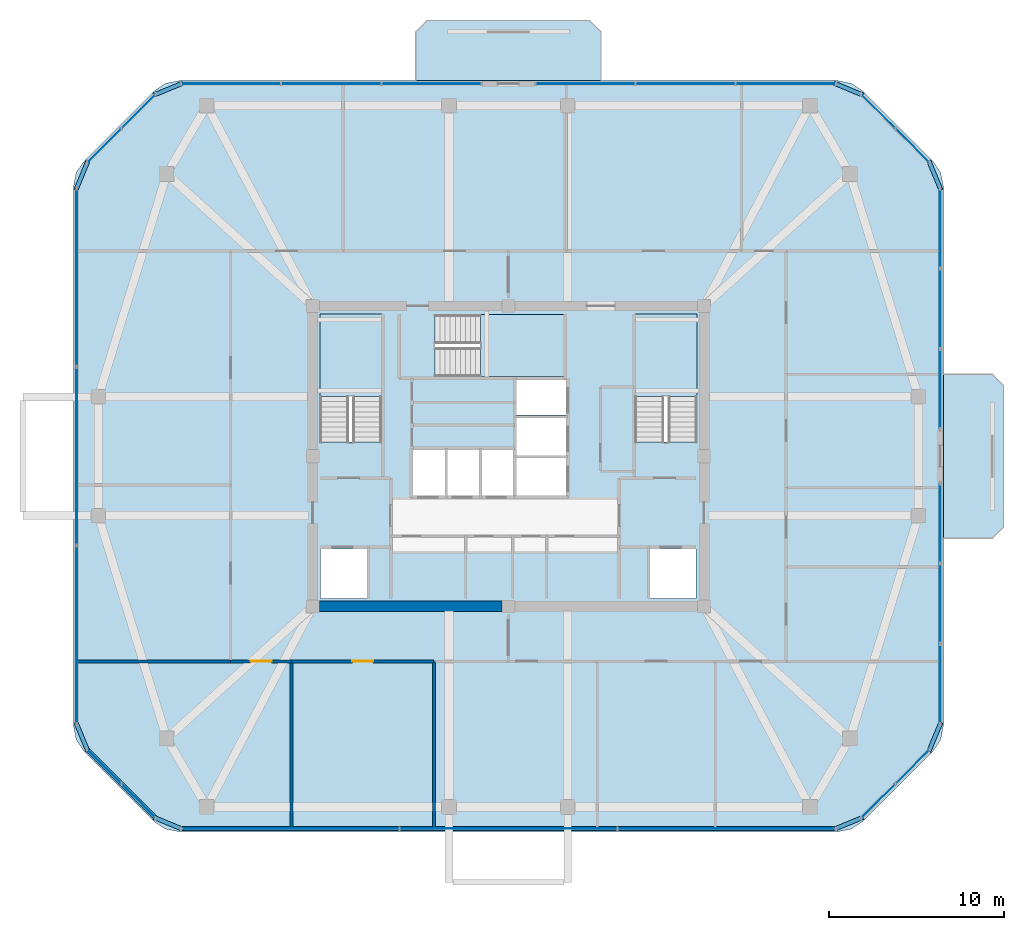
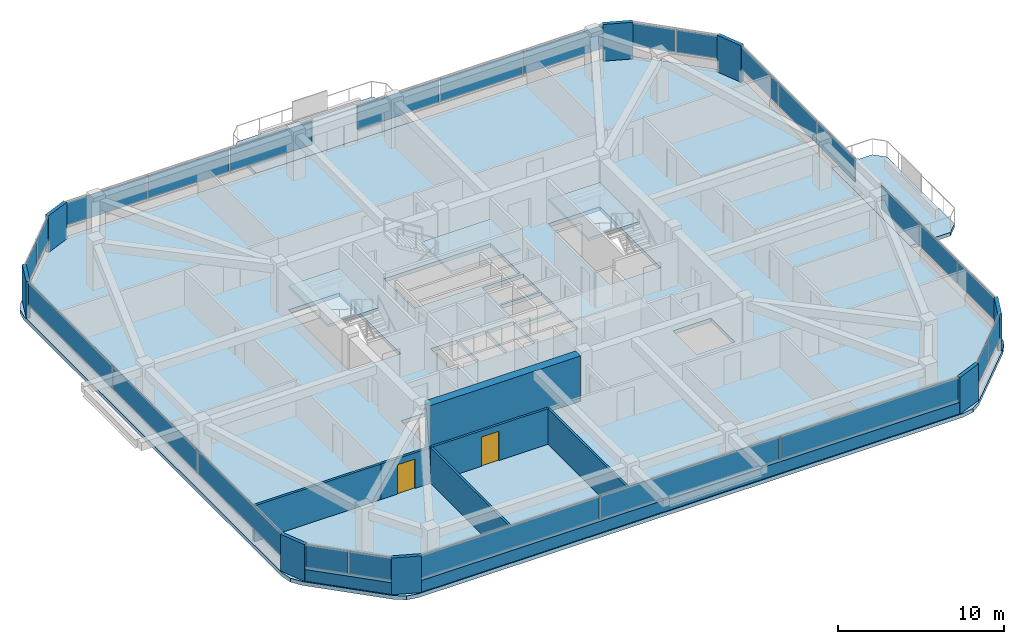
# One storey, part 8 of 14: 34 plates, 8 walls, 6 slabs, 2 doors, 2 openings, 13 elements without a shape of their own.
"""IFC4 building model written with IfcOpenShell, lengths in metres."""

from ifc_helpers import new_model, si_unit, derived_unit, direction, frame, frame_2d, origin, origin_2d, place, context, subcontext, project, spatial, polyline, rectangle, outline, extrude, material, layer, layer_set, type_object, element, fill, aggregate, save


model = new_model("IFC4")

# Units and contexts
model_context = context("Model", 3, precision=1e-05, world=origin(), true_north=direction((0.0, 1.0)))
body_context = subcontext(model_context, "Body", "Model", "MODEL_VIEW")
ifc_project = project(units=[si_unit("LENGTHUNIT", "METRE"), si_unit("AREAUNIT", "SQUARE_METRE"), si_unit("VOLUMEUNIT", "CUBIC_METRE"), si_unit("PLANEANGLEUNIT", "RADIAN"), si_unit("MASSUNIT", "GRAM", prefix="KILO"), derived_unit("THERMALTRANSMITTANCEUNIT", [(si_unit("POWERUNIT", "WATT"), 1), (si_unit("LENGTHUNIT", "METRE"), -2), (si_unit("THERMODYNAMICTEMPERATUREUNIT", "KELVIN"), -1)])], contexts=[model_context])

# Site, building, storey
site_placement = place(None, origin())
site = spatial("IfcSite", under=ifc_project, at=site_placement, CompositionType="ELEMENT")
building_placement = place(site_placement, origin())
building = spatial("IfcBuilding", under=site, at=building_placement, Name="Koralith Skygarden Medical Center", CompositionType="ELEMENT")
storey_placement = place(building_placement, frame((0.0, 0.0, 275.219970703125)))
storey = spatial("IfcBuildingStorey", under=building, at=storey_placement, Name="L71", CompositionType="ELEMENT", Elevation=275.219970703125)

# Curtain wall, plates
ifc_material_1 = material(Name="Clear Laminated Glass", Category="glass")
curtain_wall_type = type_object("IfcCurtainWallType", Name="CW-6 Zone 5 Upper Clinical Curtain Wall", PredefinedType="NOTDEFINED", material=ifc_material_1)
curtain_wall_1_placement = place(storey_placement, origin())
curtain_wall_1 = element("IfcCurtainWall", 1, at=curtain_wall_1_placement, inside=storey, type_object=curtain_wall_type, Name="Curtain Wall CW-L71-S", PredefinedType="NOTDEFINED")
ifc_layer_1 = layer(ifc_material_1, 0.0400390625)
ifc_layer_set_1 = layer_set([ifc_layer_1], Name="Clear Laminated Glass")
plate_type_1 = type_object("IfcPlateType", Name="CW-6 Hurricane Laminated IGU Panel 40", PredefinedType="CURTAIN_PANEL", material=ifc_layer_set_1)
plate_1_placement = place(storey_placement, frame((24.5029296875, 4.580078125, 0.919921875), z_axis=(0.0, 0.0, 1.0), x_axis=(1.0, 0.0, 0.0)))
plate_1 = element("IfcPlate", 2, at=plate_1_placement, type_object=plate_type_1, Name="CW-L71-S Glazed Panel 1", PredefinedType="CURTAIN_PANEL", context=body_context, shape_type="SweptSolid", body=[
    extrude(rectangle(XDim=12.406982421875, YDim=0.0400390625, at=origin_2d()), origin(), (0.0, 0.0, 1.0), 1.699951171875),
])
plate_2_placement = place(storey_placement, frame((37.0, 4.580078125, 0.919921875), z_axis=(0.0, 0.0, 1.0), x_axis=(1.0, 0.0, 0.0)))
plate_2 = element("IfcPlate", 3, at=plate_2_placement, type_object=plate_type_1, Name="CW-L71-S Glazed Panel 2", PredefinedType="CURTAIN_PANEL", context=body_context, shape_type="SweptSolid", body=[
    extrude(rectangle(XDim=12.406982421875, YDim=0.0400390625, at=origin_2d()), origin(), (0.0, 0.0, 1.0), 1.699951171875),
])
plate_3_placement = place(storey_placement, frame((49.4970703125, 4.580078125, 0.919921875), z_axis=(0.0, 0.0, 1.0), x_axis=(1.0, 0.0, 0.0)))
plate_3 = element("IfcPlate", 4, at=plate_3_placement, type_object=plate_type_1, Name="CW-L71-S Glazed Panel 3", PredefinedType="CURTAIN_PANEL", context=body_context, shape_type="SweptSolid", body=[
    extrude(rectangle(XDim=12.406982421875, YDim=0.0400390625, at=origin_2d()), origin(), (0.0, 0.0, 1.0), 1.699951171875),
])
aggregate(curtain_wall_1, [plate_1, plate_2, plate_3])

curtain_wall_2_placement = place(storey_placement, origin())
curtain_wall_2 = element("IfcCurtainWall", 5, at=curtain_wall_2_placement, inside=storey, type_object=curtain_wall_type, Name="Curtain Wall CW-L71-SE", PredefinedType="NOTDEFINED")
plate_4_placement = place(storey_placement, frame((58.177001953125, 6.162109375, 0.919921875), z_axis=(0.0, 0.0, 1.0), x_axis=(0.707106781187, 0.707106781187, 0.0)))
plate_4 = element("IfcPlate", 6, at=plate_4_placement, type_object=plate_type_1, Name="CW-L71-SE Glazed Panel 1", PredefinedType="CURTAIN_PANEL", context=body_context, shape_type="SweptSolid", body=[
    extrude(rectangle(XDim=2.68408203125, YDim=0.0400390625, at=origin_2d()), origin(), (0.0, 0.0, 1.0), 1.699951171875),
])
plate_5_placement = place(storey_placement, frame((60.137939453125, 8.123046875, 0.919921875), z_axis=(0.0, 0.0, 1.0), x_axis=(0.707106781187, 0.707106781187, 0.0)))
plate_5 = element("IfcPlate", 7, at=plate_5_placement, type_object=plate_type_1, Name="CW-L71-SE Glazed Panel 2", PredefinedType="CURTAIN_PANEL", context=body_context, shape_type="SweptSolid", body=[
    extrude(rectangle(XDim=2.68408203125, YDim=0.0400390625, at=origin_2d()), origin(), (0.0, 0.0, 1.0), 1.699951171875),
])
aggregate(curtain_wall_2, [plate_4, plate_5])

curtain_wall_3_placement = place(storey_placement, origin())
curtain_wall_3 = element("IfcCurtainWall", 8, at=curtain_wall_3_placement, inside=storey, type_object=curtain_wall_type, Name="Curtain Wall CW-L71-E-L", PredefinedType="NOTDEFINED")
plate_6_placement = place(storey_placement, frame((61.719970703125, 12.85595703125, 0.919921875), z_axis=(0.0, 0.0, 1.0), x_axis=(0.0, 1.0, 0.0)))
plate_6 = element("IfcPlate", 9, at=plate_6_placement, type_object=plate_type_1, Name="CW-L71-E-L Glazed Panel 1", PredefinedType="CURTAIN_PANEL", context=body_context, shape_type="SweptSolid", body=[
    extrude(rectangle(XDim=4.511962890625, YDim=0.0400390625, at=origin_2d()), origin(), (0.0, 0.0, 1.0), 1.699951171875),
])
plate_7_placement = place(storey_placement, frame((61.719970703125, 17.45703125, 0.919921875), z_axis=(0.0, 0.0, 1.0), x_axis=(0.0, 1.0, 0.0)))
plate_7 = element("IfcPlate", 10, at=plate_7_placement, type_object=plate_type_1, Name="CW-L71-E-L Glazed Panel 2", PredefinedType="CURTAIN_PANEL", context=body_context, shape_type="SweptSolid", body=[
    extrude(rectangle(XDim=4.511962890625, YDim=0.0400390625, at=origin_2d()), origin(), (0.0, 0.0, 1.0), 1.699951171875),
])
plate_8_placement = place(storey_placement, frame((61.719970703125, 22.05908203125, 0.919921875), z_axis=(0.0, 0.0, 1.0), x_axis=(0.0, 1.0, 0.0)))
plate_8 = element("IfcPlate", 11, at=plate_8_placement, type_object=plate_type_1, Name="CW-L71-E-L Glazed Panel 3", PredefinedType="CURTAIN_PANEL", context=body_context, shape_type="SweptSolid", body=[
    extrude(rectangle(XDim=4.511962890625, YDim=0.0400390625, at=origin_2d()), origin(), (0.0, 0.0, 1.0), 1.699951171875),
])
aggregate(curtain_wall_3, [plate_6, plate_7, plate_8])

curtain_wall_4_placement = place(storey_placement, origin())
curtain_wall_4 = element("IfcCurtainWall", 12, at=curtain_wall_4_placement, inside=storey, type_object=curtain_wall_type, Name="Curtain Wall CW-L71-E-R", PredefinedType="NOTDEFINED")
plate_9_placement = place(storey_placement, frame((61.719970703125, 29.740966796875, 0.919921875), z_axis=(0.0, 0.0, 1.0), x_axis=(0.0, 1.0, 0.0)))
plate_9 = element("IfcPlate", 13, at=plate_9_placement, type_object=plate_type_1, Name="CW-L71-E-R Glazed Panel 1", PredefinedType="CURTAIN_PANEL", context=body_context, shape_type="SweptSolid", body=[
    extrude(rectangle(XDim=4.511962890625, YDim=0.0400390625, at=origin_2d()), origin(), (0.0, 0.0, 1.0), 1.699951171875),
])
plate_10_placement = place(storey_placement, frame((61.719970703125, 34.343017578125, 0.919921875), z_axis=(0.0, 0.0, 1.0), x_axis=(0.0, 1.0, 0.0)))
plate_10 = element("IfcPlate", 14, at=plate_10_placement, type_object=plate_type_1, Name="CW-L71-E-R Glazed Panel 2", PredefinedType="CURTAIN_PANEL", context=body_context, shape_type="SweptSolid", body=[
    extrude(rectangle(XDim=4.511962890625, YDim=0.0400390625, at=origin_2d()), origin(), (0.0, 0.0, 1.0), 1.699951171875),
])
plate_11_placement = place(storey_placement, frame((61.719970703125, 38.944091796875, 0.919921875), z_axis=(0.0, 0.0, 1.0), x_axis=(0.0, 1.0, 0.0)))
plate_11 = element("IfcPlate", 15, at=plate_11_placement, type_object=plate_type_1, Name="CW-L71-E-R Glazed Panel 3", PredefinedType="CURTAIN_PANEL", context=body_context, shape_type="SweptSolid", body=[
    extrude(rectangle(XDim=4.511962890625, YDim=0.0400390625, at=origin_2d()), origin(), (0.0, 0.0, 1.0), 1.699951171875),
])
aggregate(curtain_wall_4, [plate_9, plate_10, plate_11])

curtain_wall_5_placement = place(storey_placement, origin())
curtain_wall_5 = element("IfcCurtainWall", 16, at=curtain_wall_5_placement, inside=storey, type_object=curtain_wall_type, Name="Curtain Wall CW-L71-NE", PredefinedType="NOTDEFINED")
plate_12_placement = place(storey_placement, frame((60.137939453125, 43.677001953125, 0.919921875), z_axis=(0.0, 0.0, 1.0), x_axis=(-0.707106781187, 0.707106781187, 0.0)))
plate_12 = element("IfcPlate", 17, at=plate_12_placement, type_object=plate_type_1, Name="CW-L71-NE Glazed Panel 1", PredefinedType="CURTAIN_PANEL", context=body_context, shape_type="SweptSolid", body=[
    extrude(rectangle(XDim=2.68408203125, YDim=0.0400390625, at=origin_2d()), origin(), (0.0, 0.0, 1.0), 1.699951171875),
])
plate_13_placement = place(storey_placement, frame((58.177001953125, 45.637939453125, 0.919921875), z_axis=(0.0, 0.0, 1.0), x_axis=(-0.707106781187, 0.707106781187, 0.0)))
plate_13 = element("IfcPlate", 18, at=plate_13_placement, type_object=plate_type_1, Name="CW-L71-NE Glazed Panel 2", PredefinedType="CURTAIN_PANEL", context=body_context, shape_type="SweptSolid", body=[
    extrude(rectangle(XDim=2.68408203125, YDim=0.0400390625, at=origin_2d()), origin(), (0.0, 0.0, 1.0), 1.699951171875),
])
aggregate(curtain_wall_5, [plate_12, plate_13])

curtain_wall_6_placement = place(storey_placement, origin())
curtain_wall_6 = element("IfcCurtainWall", 19, at=curtain_wall_6_placement, inside=storey, type_object=curtain_wall_type, Name="Curtain Wall CW-L71-N-L", PredefinedType="NOTDEFINED")
plate_14_placement = place(storey_placement, frame((52.8779296875, 47.219970703125, 0.919921875), z_axis=(0.0, 0.0, 1.0), x_axis=(-1.0, 0.0, 0.0)))
plate_14 = element("IfcPlate", 20, at=plate_14_placement, type_object=plate_type_1, Name="CW-L71-N-L Glazed Panel 1", PredefinedType="CURTAIN_PANEL", context=body_context, shape_type="SweptSolid", body=[
    extrude(rectangle(XDim=5.64501953125, YDim=0.0400390625, at=origin_2d()), origin(), (0.0, 0.0, 1.0), 1.699951171875),
])
plate_15_placement = place(storey_placement, frame((47.14306640625, 47.219970703125, 0.919921875), z_axis=(0.0, 0.0, 1.0), x_axis=(-1.0, 0.0, 0.0)))
plate_15 = element("IfcPlate", 21, at=plate_15_placement, type_object=plate_type_1, Name="CW-L71-N-L Glazed Panel 2", PredefinedType="CURTAIN_PANEL", context=body_context, shape_type="SweptSolid", body=[
    extrude(rectangle(XDim=5.64501953125, YDim=0.0400390625, at=origin_2d()), origin(), (0.0, 0.0, 1.0), 1.699951171875),
])
plate_16_placement = place(storey_placement, frame((41.407958984375, 47.219970703125, 0.919921875), z_axis=(0.0, 0.0, 1.0), x_axis=(-1.0, 0.0, 0.0)))
plate_16 = element("IfcPlate", 22, at=plate_16_placement, type_object=plate_type_1, Name="CW-L71-N-L Glazed Panel 3", PredefinedType="CURTAIN_PANEL", context=body_context, shape_type="SweptSolid", body=[
    extrude(rectangle(XDim=5.64501953125, YDim=0.0400390625, at=origin_2d()), origin(), (0.0, 0.0, 1.0), 1.699951171875),
])
aggregate(curtain_wall_6, [plate_14, plate_15, plate_16])

curtain_wall_7_placement = place(storey_placement, origin())
curtain_wall_7 = element("IfcCurtainWall", 23, at=curtain_wall_7_placement, inside=storey, type_object=curtain_wall_type, Name="Curtain Wall CW-L71-N-R", PredefinedType="NOTDEFINED")
plate_17_placement = place(storey_placement, frame((32.593017578125, 47.219970703125, 0.919921875), z_axis=(0.0, 0.0, 1.0), x_axis=(-1.0, 0.0, 0.0)))
plate_17 = element("IfcPlate", 24, at=plate_17_placement, type_object=plate_type_1, Name="CW-L71-N-R Glazed Panel 1", PredefinedType="CURTAIN_PANEL", context=body_context, shape_type="SweptSolid", body=[
    extrude(rectangle(XDim=5.64501953125, YDim=0.0400390625, at=origin_2d()), origin(), (0.0, 0.0, 1.0), 1.699951171875),
])
plate_18_placement = place(storey_placement, frame((26.85791015625, 47.219970703125, 0.919921875), z_axis=(0.0, 0.0, 1.0), x_axis=(-1.0, 0.0, 0.0)))
plate_18 = element("IfcPlate", 25, at=plate_18_placement, type_object=plate_type_1, Name="CW-L71-N-R Glazed Panel 2", PredefinedType="CURTAIN_PANEL", context=body_context, shape_type="SweptSolid", body=[
    extrude(rectangle(XDim=5.64501953125, YDim=0.0400390625, at=origin_2d()), origin(), (0.0, 0.0, 1.0), 1.699951171875),
])
plate_19_placement = place(storey_placement, frame((21.123046875, 47.219970703125, 0.919921875), z_axis=(0.0, 0.0, 1.0), x_axis=(-1.0, 0.0, 0.0)))
plate_19 = element("IfcPlate", 26, at=plate_19_placement, type_object=plate_type_1, Name="CW-L71-N-R Glazed Panel 3", PredefinedType="CURTAIN_PANEL", context=body_context, shape_type="SweptSolid", body=[
    extrude(rectangle(XDim=5.64501953125, YDim=0.0400390625, at=origin_2d()), origin(), (0.0, 0.0, 1.0), 1.699951171875),
])
aggregate(curtain_wall_7, [plate_17, plate_18, plate_19])

curtain_wall_8_placement = place(storey_placement, origin())
curtain_wall_8 = element("IfcCurtainWall", 27, at=curtain_wall_8_placement, inside=storey, type_object=curtain_wall_type, Name="Curtain Wall CW-L71-NW", PredefinedType="NOTDEFINED")
plate_20_placement = place(storey_placement, frame((15.822998046875, 45.637939453125, 0.919921875), z_axis=(0.0, 0.0, 1.0), x_axis=(-0.707106781187, -0.707106781187, 0.0)))
plate_20 = element("IfcPlate", 28, at=plate_20_placement, type_object=plate_type_1, Name="CW-L71-NW Glazed Panel 1", PredefinedType="CURTAIN_PANEL", context=body_context, shape_type="SweptSolid", body=[
    extrude(rectangle(XDim=2.68408203125, YDim=0.0400390625, at=origin_2d()), origin(), (0.0, 0.0, 1.0), 1.699951171875),
])
plate_21_placement = place(storey_placement, frame((13.862060546875, 43.677001953125, 0.919921875), z_axis=(0.0, 0.0, 1.0), x_axis=(-0.707106781187, -0.707106781187, 0.0)))
plate_21 = element("IfcPlate", 29, at=plate_21_placement, type_object=plate_type_1, Name="CW-L71-NW Glazed Panel 2", PredefinedType="CURTAIN_PANEL", context=body_context, shape_type="SweptSolid", body=[
    extrude(rectangle(XDim=2.68408203125, YDim=0.0400390625, at=origin_2d()), origin(), (0.0, 0.0, 1.0), 1.699951171875),
])
aggregate(curtain_wall_8, [plate_20, plate_21])

curtain_wall_9_placement = place(storey_placement, origin())
curtain_wall_9 = element("IfcCurtainWall", 30, at=curtain_wall_9_placement, inside=storey, type_object=curtain_wall_type, Name="Curtain Wall CW-L71-W", PredefinedType="NOTDEFINED")
plate_22_placement = place(storey_placement, frame((12.280029296875, 36.1298828125, 0.919921875), z_axis=(0.0, 0.0, 1.0), x_axis=(0.0, -1.0, 0.0)))
plate_22 = element("IfcPlate", 31, at=plate_22_placement, type_object=plate_type_1, Name="CW-L71-W Glazed Panel 1", PredefinedType="CURTAIN_PANEL", context=body_context, shape_type="SweptSolid", body=[
    extrude(rectangle(XDim=10.139892578125, YDim=0.0400390625, at=origin_2d()), origin(), (0.0, 0.0, 1.0), 1.699951171875),
])
plate_23_placement = place(storey_placement, frame((12.280029296875, 25.89990234375, 0.919921875), z_axis=(0.0, 0.0, 1.0), x_axis=(0.0, -1.0, 0.0)))
plate_23 = element("IfcPlate", 32, at=plate_23_placement, type_object=plate_type_1, Name="CW-L71-W Glazed Panel 2", PredefinedType="CURTAIN_PANEL", context=body_context, shape_type="SweptSolid", body=[
    extrude(rectangle(XDim=10.139892578125, YDim=0.0400390625, at=origin_2d()), origin(), (0.0, 0.0, 1.0), 1.699951171875),
])
plate_24_placement = place(storey_placement, frame((12.280029296875, 15.669921875, 0.919921875), z_axis=(0.0, 0.0, 1.0), x_axis=(0.0, -1.0, 0.0)))
plate_24 = element("IfcPlate", 33, at=plate_24_placement, type_object=plate_type_1, Name="CW-L71-W Glazed Panel 3", PredefinedType="CURTAIN_PANEL", context=body_context, shape_type="SweptSolid", body=[
    extrude(rectangle(XDim=10.139892578125, YDim=0.0400390625, at=origin_2d()), origin(), (0.0, 0.0, 1.0), 1.699951171875),
])
aggregate(curtain_wall_9, [plate_22, plate_23, plate_24])

curtain_wall_10_placement = place(storey_placement, origin())
curtain_wall_10 = element("IfcCurtainWall", 34, at=curtain_wall_10_placement, inside=storey, type_object=curtain_wall_type, Name="Curtain Wall CW-L71-SW", PredefinedType="NOTDEFINED")
plate_25_placement = place(storey_placement, frame((13.862060546875, 8.123046875, 0.919921875), z_axis=(0.0, 0.0, 1.0), x_axis=(0.707106781187, -0.707106781187, 0.0)))
plate_25 = element("IfcPlate", 35, at=plate_25_placement, type_object=plate_type_1, Name="CW-L71-SW Glazed Panel 1", PredefinedType="CURTAIN_PANEL", context=body_context, shape_type="SweptSolid", body=[
    extrude(rectangle(XDim=2.68408203125, YDim=0.0400390625, at=origin_2d()), origin(), (0.0, 0.0, 1.0), 1.699951171875),
])
plate_26_placement = place(storey_placement, frame((15.822998046875, 6.162109375, 0.919921875), z_axis=(0.0, 0.0, 1.0), x_axis=(0.707106781187, -0.707106781187, 0.0)))
plate_26 = element("IfcPlate", 36, at=plate_26_placement, type_object=plate_type_1, Name="CW-L71-SW Glazed Panel 2", PredefinedType="CURTAIN_PANEL", context=body_context, shape_type="SweptSolid", body=[
    extrude(rectangle(XDim=2.68408203125, YDim=0.0400390625, at=origin_2d()), origin(), (0.0, 0.0, 1.0), 1.699951171875),
])
aggregate(curtain_wall_10, [plate_25, plate_26])

# Slabs
ifc_material_2 = material(Name="Concrete C45/55", Category="concrete")
ifc_layer_2 = layer(ifc_material_2, 0.260009765625)
ifc_layer_set_2 = layer_set([ifc_layer_2], Name="Concrete C45/55")
slab_type_1 = type_object("IfcSlabType", Name="Cantilevered Planted Balcony Slab 260", PredefinedType="FLOOR", material=ifc_layer_set_2)
slab_1_placement = place(storey_placement, frame((0.0, 0.0, -0.260009765625)))
element("IfcSlab", 37, at=slab_1_placement, inside=storey, type_object=slab_type_1, Name="L71 N Planted Sky-Garden Balcony Slab", PredefinedType="FLOOR", context=body_context, shape_type="SweptSolid", body=[
    extrude(outline(polyline([(31.699951171875, 47.39990234375), (42.300048828125, 47.39990234375), (42.300048828125, 50.199951171875), (41.64990234375, 50.85009765625), (32.35009765625, 50.85009765625), (31.699951171875, 50.199951171875), (31.699951171875, 47.39990234375)])), origin(), (0.0, 0.0, 1.0), 0.260009765625),
])
slab_2_placement = place(storey_placement, frame((0.0, 0.0, -0.260009765625)))
element("IfcSlab", 38, at=slab_2_placement, inside=storey, type_object=slab_type_1, Name="L71 E Planted Sky-Garden Balcony Slab", PredefinedType="FLOOR", context=body_context, shape_type="SweptSolid", body=[
    extrude(outline(polyline([(61.89990234375, 21.199951171875), (64.699951171875, 21.199951171875), (65.35009765625, 21.85009765625), (65.35009765625, 29.949951171875), (64.699951171875, 30.60009765625), (61.89990234375, 30.60009765625), (61.89990234375, 21.199951171875)])), origin(), (0.0, 0.0, 1.0), 0.260009765625),
])

# Stair, slab
stair_type = type_object("IfcStairType", Name="Core Exit Dogleg Concrete Stair", PredefinedType="HALF_TURN_STAIR", material=ifc_material_2)
stair_1_placement = place(storey_placement, origin())
stair_1 = element("IfcStair", 39, at=stair_1_placement, inside=storey, type_object=stair_type, Name="L71 Smokeproof Exit Stair ST1", PredefinedType="HALF_TURN_STAIR")
ifc_layer_3 = layer(ifc_material_2, 0.199951171875)
ifc_layer_set_3 = layer_set([ifc_layer_3], Name="Concrete C45/55")
slab_type_2 = type_object("IfcSlabType", Name="Core Exit Concrete Stair Landing 200", PredefinedType="LANDING", material=ifc_layer_set_3)
slab_3_placement = place(storey_placement, frame((0.0, 0.0, 1.60009765625)))
slab_3 = element("IfcSlab", 40, at=slab_3_placement, type_object=slab_type_2, Name="ST1 landing 1", PredefinedType="LANDING", context=body_context, shape_type="SweptSolid", body=[
    extrude(outline(polyline([(29.75, 29.31005859375), (29.75, 34.050048828125), (26.199951171875, 34.050048828125), (26.199951171875, 29.31005859375), (29.75, 29.31005859375)])), origin(), (0.0, 0.0, 1.0), 0.199951171875),
])
aggregate(stair_1, [slab_3])

stair_2_placement = place(storey_placement, origin())
stair_2 = element("IfcStair", 41, at=stair_2_placement, inside=storey, type_object=stair_type, Name="L71 Smokeproof Exit Stair ST2", PredefinedType="HALF_TURN_STAIR")
slab_4_placement = place(storey_placement, frame((0.0, 0.0, 1.60009765625)))
slab_4 = element("IfcSlab", 42, at=slab_4_placement, type_object=slab_type_2, Name="ST2 landing 1", PredefinedType="LANDING", context=body_context, shape_type="SweptSolid", body=[
    extrude(outline(polyline([(47.800048828125, 29.31005859375), (47.800048828125, 34.050048828125), (44.25, 34.050048828125), (44.25, 29.31005859375), (47.800048828125, 29.31005859375)])), origin(), (0.0, 0.0, 1.0), 0.199951171875),
])
aggregate(stair_2, [slab_4])

stair_3_placement = place(storey_placement, origin())
stair_3 = element("IfcStair", 43, at=stair_3_placement, inside=storey, type_object=stair_type, Name="L71 Smokeproof Exit Stair ST3", PredefinedType="HALF_TURN_STAIR")
slab_5_placement = place(storey_placement, frame((0.0, 0.0, 1.60009765625)))
slab_5 = element("IfcSlab", 44, at=slab_5_placement, type_object=slab_type_2, Name="ST3 landing 1", PredefinedType="LANDING", context=body_context, shape_type="SweptSolid", body=[
    extrude(outline(polyline([(35.409912109375, 30.449951171875), (40.199951171875, 30.449951171875), (40.199951171875, 34.0), (35.409912109375, 34.0), (35.409912109375, 30.449951171875)])), origin(), (0.0, 0.0, 1.0), 0.199951171875),
])
aggregate(stair_3, [slab_5])

# Slab
ifc_layer_4 = layer(ifc_material_2, 0.280029296875)
ifc_layer_set_4 = layer_set([ifc_layer_4], Name="Concrete C45/55")
slab_type_3 = type_object("IfcSlabType", Name="Post-Tensioned Ward Floor Plate 280", PredefinedType="FLOOR", material=ifc_layer_set_4)
slab_6_placement = place(storey_placement, frame((0.0, 0.0, -0.280029296875)))
element("IfcSlab", 45, at=slab_6_placement, inside=storey, type_object=slab_type_3, Name="Level L71 Structural Floor Slab", PredefinedType="FLOOR", context=body_context, shape_type="SweptSolid", body=[
    extrude(outline(polyline([(16.714111328125, 4.986083984375), (17.363037109375, 4.552001953125), (18.1279296875, 4.39990234375), (55.8720703125, 4.39990234375), (56.636962890625, 4.552001953125), (57.285888671875, 4.986083984375), (61.31396484375, 9.013916015625), (61.748046875, 9.6630859375), (61.89990234375, 10.427978515625), (61.89990234375, 41.3720703125), (61.748046875, 42.136962890625), (61.31396484375, 42.785888671875), (57.285888671875, 46.81396484375), (56.636962890625, 47.248046875), (55.8720703125, 47.39990234375), (18.1279296875, 47.39990234375), (17.363037109375, 47.248046875), (16.714111328125, 46.81396484375), (12.68603515625, 42.785888671875), (12.251953125, 42.136962890625), (12.10009765625, 41.3720703125), (12.10009765625, 10.427978515625), (12.251953125, 9.6630859375), (12.68603515625, 9.013916015625), (16.714111328125, 4.986083984375)]), holes=[polyline([(26.199951171875, 26.705078125), (29.75, 26.705078125), (29.75, 34.050048828125), (26.199951171875, 34.050048828125), (26.199951171875, 26.705078125)]), polyline([(44.25, 26.705078125), (47.800048828125, 26.705078125), (47.800048828125, 34.050048828125), (44.25, 34.050048828125), (44.25, 26.705078125)]), polyline([(32.804931640625, 30.449951171875), (40.199951171875, 30.449951171875), (40.199951171875, 34.0), (32.804931640625, 34.0), (32.804931640625, 30.449951171875)]), polyline([(26.25, 17.75), (28.89990234375, 17.75), (28.89990234375, 20.60009765625), (26.25, 20.60009765625), (26.25, 17.75)]), polyline([(45.10009765625, 17.75), (47.75, 17.75), (47.75, 20.60009765625), (45.10009765625, 20.60009765625), (45.10009765625, 17.75)]), polyline([(31.550048828125, 23.64990234375), (33.39990234375, 23.64990234375), (33.39990234375, 26.25), (31.550048828125, 26.25), (31.550048828125, 23.64990234375)]), polyline([(33.5, 23.64990234375), (35.35009765625, 23.64990234375), (35.35009765625, 26.25), (33.5, 26.25), (33.5, 23.64990234375)]), polyline([(35.449951171875, 23.64990234375), (37.300048828125, 23.64990234375), (37.300048828125, 26.25), (35.449951171875, 26.25), (35.449951171875, 23.64990234375)]), polyline([(37.449951171875, 23.64990234375), (40.300048828125, 23.64990234375), (40.300048828125, 25.800048828125), (37.449951171875, 25.800048828125), (37.449951171875, 23.64990234375)]), polyline([(37.449951171875, 25.949951171875), (40.300048828125, 25.949951171875), (40.300048828125, 28.10009765625), (37.449951171875, 28.10009765625), (37.449951171875, 25.949951171875)]), polyline([(37.449951171875, 28.25), (40.300048828125, 28.25), (40.300048828125, 30.25), (37.449951171875, 30.25), (37.449951171875, 28.25)])]), origin(), (0.0, 0.0, 1.0), 0.280029296875),
])

# Plates
ifc_material_3 = material(Name="Warm Oolitic Limestone Cladding", Category="masonry")
ifc_layer_5 = layer(ifc_material_3, 0.239990234375)
ifc_layer_set_5 = layer_set([ifc_layer_5], Name="Warm Oolitic Limestone Cladding")
plate_type_2 = type_object("IfcPlateType", Name="Rounded-Corner Oolitic Limestone Cladding Panel 240", PredefinedType="USERDEFINED", material=ifc_layer_set_5)
for number, where, z_axis, x_axis, name in (
    (46, (56.470947265625, 4.8798828125, 0.0), (0.0, 0.0, 1.0), (0.92388487569, 0.382670532536, 0.0), "L71 Rounded-Corner Limestone Pier 1"),
    (47, (61.4189453125, 9.8291015625, 0.0), (0.0, 0.0, 1.0), (0.382670532536, 0.92388487569, 0.0), "L71 Rounded-Corner Limestone Pier 2"),
    (48, (61.4189453125, 41.970947265625, 0.0), (0.0, 0.0, 1.0), (-0.382670532536, 0.92388487569, 0.0), "L71 Rounded-Corner Limestone Pier 3"),
    (49, (56.470947265625, 46.9189453125, 0.0), (0.0, 0.0, 1.0), (-0.92388487569, 0.382670532536, 0.0), "L71 Rounded-Corner Limestone Pier 4"),
    (50, (17.529052734375, 46.9189453125, 0.0), (0.0, 0.0, 1.0), (-0.92388487569, -0.382670532536, 0.0), "L71 Rounded-Corner Limestone Pier 5"),
    (51, (12.5810546875, 41.970947265625, 0.0), (0.0, 0.0, 1.0), (-0.382670532536, -0.92388487569, 0.0), "L71 Rounded-Corner Limestone Pier 6"),
    (52, (12.5810546875, 9.8291015625, 0.0), (0.0, 0.0, 1.0), (0.382670532536, -0.92388487569, 0.0), "L71 Rounded-Corner Limestone Pier 7"),
    (53, (17.529052734375, 4.8798828125, 0.0), (0.0, 0.0, 1.0), (0.92388487569, -0.382670532536, 0.0), "L71 Rounded-Corner Limestone Pier 8"),
):
    element("IfcPlate", number, at=place(storey_placement, frame(where, z_axis=z_axis, x_axis=x_axis)), inside=storey, type_object=plate_type_2, Name=name, ObjectType="LIMESTONE CLADDING", PredefinedType="USERDEFINED", context=body_context, shape_type="SweptSolid", body=[
        extrude(rectangle(XDim=1.81103515625, YDim=0.239990234375, at=origin_2d()), origin(), (0.0, 0.0, 1.0), 2.68994140625),
    ])

# Walls
ifc_material_4 = material(Name="Gypsum Board Partition")
ifc_layer_6 = layer(ifc_material_4, 0.14990234375)
ifc_layer_set_6 = layer_set([ifc_layer_6], Name="Gypsum Board Partition")
wall_type_1 = type_object("IfcWallType", Name="Clinical Acoustic Partition 150", PredefinedType="PARTITIONING", material=ifc_layer_set_6)
for number, where, z_axis, x_axis, name in (
    (54, (24.58203125, 14.14990234375, 0.0), (0.0, 0.0, 1.0), (0.0, -1.0, 0.0), "L71 Clinical Acoustic Partition 150 W-PART-L71-S-01"),
    (55, (32.738037109375, 14.14990234375, 0.0), (0.0, 0.0, 1.0), (0.0, -1.0, 0.0), "L71 Clinical Acoustic Partition 150 W-PART-L71-S-02"),
):
    element("IfcWall", number, at=place(storey_placement, frame(where, z_axis=z_axis, x_axis=x_axis)), inside=storey, type_object=wall_type_1, Name=name, PredefinedType="PARTITIONING", context=body_context, shape_type="SweptSolid", body=[
        extrude(rectangle(XDim=9.5498046875, YDim=0.14990234375, at=frame_2d((4.77490234375, 0.0))), origin(), (0.0, 0.0, 1.0), 2.610107421875),
    ])
ifc_layer_7 = layer(ifc_material_4, 0.1650390625)
ifc_layer_set_7 = layer_set([ifc_layer_7], Name="Gypsum Board Partition")
wall_type_2 = type_object("IfcWallType", Name="Clinical Corridor Partition 165", PredefinedType="PARTITIONING", material=ifc_layer_set_7)
wall_1_placement = place(storey_placement, frame((12.300048828125, 14.14990234375, 0.0), z_axis=(0.0, 0.0, 1.0), x_axis=(1.0, 0.0, 0.0)))
element("IfcWall", 56, at=wall_1_placement, inside=storey, type_object=wall_type_2, Name="L71 Clinical Corridor Partition 165 W-WB-L71-SW", PredefinedType="PARTITIONING", context=body_context, shape_type="SweptSolid", body=[
    extrude(rectangle(XDim=8.800048828125, YDim=0.1650390625, at=frame_2d((4.39990234375, 0.0))), origin(), (0.0, 0.0, 1.0), 2.610107421875),
])

# Wall, opening, door
wall_2_placement = place(storey_placement, frame((21.10009765625, 14.14990234375, 0.0), z_axis=(0.0, 0.0, 1.0), x_axis=(1.0, 0.0, 0.0)))
wall_2 = element("IfcWall", 57, at=wall_2_placement, inside=storey, type_object=wall_type_2, Name="L71 Clinical Corridor Partition 165 W-CORR-L71-S-01", PredefinedType="PARTITIONING", context=body_context, shape_type="SweptSolid", body=[
    extrude(rectangle(XDim=3.48193359375, YDim=0.1650390625, at=frame_2d((1.740966796875, 0.0))), origin(), (0.0, 0.0, 1.0), 2.610107421875),
])
opening_1_placement = place(wall_2_placement, frame((1.14111328125, 0.0, 0.0)))
opening_1 = element("IfcOpeningElement", 58, at=opening_1_placement, cuts=wall_2, Name="Opening D-CLN", PredefinedType="OPENING", context=body_context, shape_type="SweptSolid", body=[
    extrude(rectangle(XDim=1.199951171875, YDim=2.14990234375, at=frame_2d((0.60009765625, 1.074951171875))), frame((0.0, 0.092529296875, 0.0), z_axis=(0.0, -1.0, 0.0), x_axis=(1.0, 0.0, 0.0)), (0.0, 0.0, 1.0), 0.18505859375),
])
ifc_material_5 = material(Name="Aluminium 6063-T6", Category="aluminium")
door_type = type_object("IfcDoorType", Name="Clinical Corridor Door D-CLN 1200", OperationType="NOTDEFINED", PredefinedType="DOOR", material=ifc_material_5)
door_1_placement = place(opening_1_placement, frame((1.199951171875, 0.0, 0.0), z_axis=(0.0, 0.0, 1.0), x_axis=(-1.0, 0.0, 0.0)))
door_1 = element("IfcDoor", 59, at=door_1_placement, inside=storey, type_object=door_type, Name="L71 Clinical Consultation Office 05 Door", OperationType="SINGLE_SWING_RIGHT", OverallHeight=2.14990234375, OverallWidth=1.199951171875, PredefinedType="DOOR", context=body_context, shape_type="SweptSolid", body=[
    extrude(rectangle(XDim=1.199951171875, YDim=2.14990234375, at=frame_2d((0.60009765625, 1.074951171875))), frame((0.0, 0.02490234375, 0.0), z_axis=(0.0, -1.0, 0.0), x_axis=(1.0, 0.0, 0.0)), (0.0, 0.0, 1.0), 0.050048828125),
])
fill(opening_1, door_1)

wall_3_placement = place(storey_placement, frame((24.58203125, 14.14990234375, 0.0), z_axis=(0.0, 0.0, 1.0), x_axis=(1.0, 0.0, 0.0)))
wall_3 = element("IfcWall", 60, at=wall_3_placement, inside=storey, type_object=wall_type_2, Name="L71 Clinical Corridor Partition 165 W-CORR-L71-S-02", PredefinedType="PARTITIONING", context=body_context, shape_type="SweptSolid", body=[
    extrude(rectangle(XDim=8.156005859375, YDim=0.1650390625, at=frame_2d((4.078125, 0.0))), origin(), (0.0, 0.0, 1.0), 2.610107421875),
])
opening_2_placement = place(wall_3_placement, frame((3.47802734375, 0.0, 0.0)))
opening_2 = element("IfcOpeningElement", 61, at=opening_2_placement, cuts=wall_3, Name="Opening D-CLN", PredefinedType="OPENING", context=body_context, shape_type="SweptSolid", body=[
    extrude(rectangle(XDim=1.199951171875, YDim=2.14990234375, at=frame_2d((0.60009765625, 1.074951171875))), frame((0.0, 0.092529296875, 0.0), z_axis=(0.0, -1.0, 0.0), x_axis=(1.0, 0.0, 0.0)), (0.0, 0.0, 1.0), 0.18505859375),
])
door_2_placement = place(opening_2_placement, frame((1.199951171875, 0.0, 0.0), z_axis=(0.0, 0.0, 1.0), x_axis=(-1.0, 0.0, 0.0)))
door_2 = element("IfcDoor", 62, at=door_2_placement, inside=storey, type_object=door_type, Name="L71 Ethics Committee Conference Room 06 Door", OperationType="SINGLE_SWING_LEFT", OverallHeight=2.14990234375, OverallWidth=1.199951171875, PredefinedType="DOOR", context=body_context, shape_type="SweptSolid", body=[
    extrude(rectangle(XDim=1.199951171875, YDim=2.14990234375, at=frame_2d((0.60009765625, 1.074951171875))), frame((0.0, 0.02490234375, 0.0), z_axis=(0.0, -1.0, 0.0), x_axis=(1.0, 0.0, 0.0)), (0.0, 0.0, 1.0), 0.050048828125),
])
fill(opening_2, door_2)

# Walls
ifc_layer_8 = layer(ifc_material_3, 0.239990234375)
ifc_layer_set_8 = layer_set([ifc_layer_8], Name="Warm Oolitic Limestone Cladding")
wall_type_3 = type_object("IfcWallType", Name="Limestone Spandrel Sill Backup Wall 240", PredefinedType="SOLIDWALL", material=ifc_layer_set_8)
wall_4_placement = place(storey_placement, frame((18.2548828125, 4.580078125, 0.0), z_axis=(0.0, 0.0, 1.0), x_axis=(1.0, 0.0, 0.0)))
element("IfcWall", 63, at=wall_4_placement, inside=storey, type_object=wall_type_3, Name="L71 Sill Spandrel S", PredefinedType="SOLIDWALL", context=body_context, shape_type="SweptSolid", body=[
    extrude(rectangle(XDim=37.490234375, YDim=0.239990234375, at=frame_2d((18.7451171875, 0.0))), origin(), (0.0, 0.0, 1.0), 0.85009765625),
])
wall_5_placement = place(storey_placement, frame((12.881103515625, 9.10400390625, 0.0), z_axis=(0.0, 0.0, 1.0), x_axis=(0.707084777957, -0.707128783731, 0.0)))
element("IfcWall", 64, at=wall_5_placement, inside=storey, type_object=wall_type_3, Name="L71 Sill Spandrel SW", PredefinedType="SOLIDWALL", context=body_context, shape_type="SweptSolid", body=[
    extrude(rectangle(XDim=5.5478515625, YDim=0.239990234375, at=frame_2d((2.77392578125, 0.0))), origin(), (0.0, 0.0, 1.0), 0.85009765625),
])
ifc_material_6 = material(Name="Concrete C55/67", Category="concrete")
ifc_layer_9 = layer(ifc_material_6, 0.60009765625)
ifc_layer_set_9 = layer_set([ifc_layer_9], Name="Concrete C55/67")
wall_type_4 = type_object("IfcWallType", Name="Upper Core Shear Wall 600", PredefinedType="SHEAR", material=ifc_layer_set_9)
wall_6_placement = place(storey_placement, frame((26.175048828125, 17.300048828125, 0.0), z_axis=(0.0, 0.0, 1.0), x_axis=(1.0, 0.0, 0.0)))
element("IfcWall", 65, at=wall_6_placement, inside=storey, type_object=wall_type_4, Name="L71 Core Shear Wall Segment 1", PredefinedType="SHEAR", context=body_context, shape_type="SweptSolid", body=[
    extrude(rectangle(XDim=10.449951171875, YDim=0.60009765625, at=frame_2d((5.22509765625, 0.0))), origin(), (0.0, 0.0, 1.0), 3.320068359375),
])

save(model, "model.ifc")
